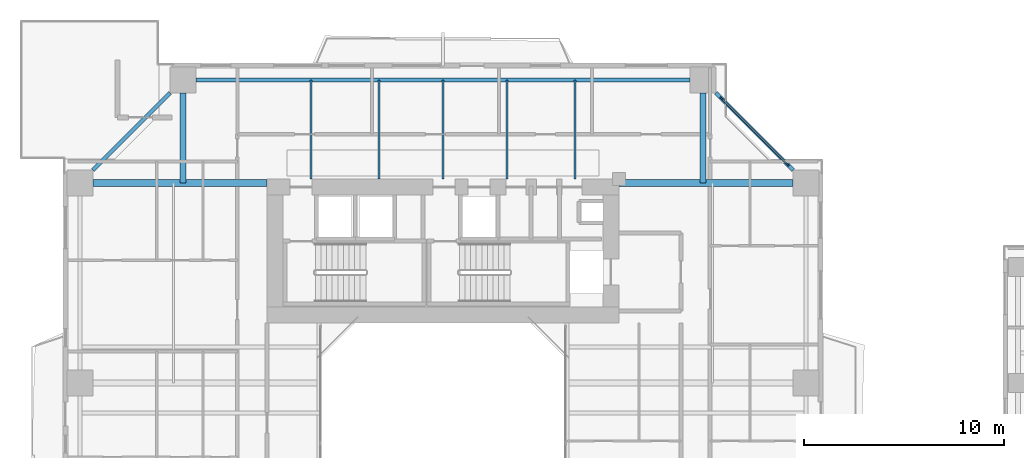
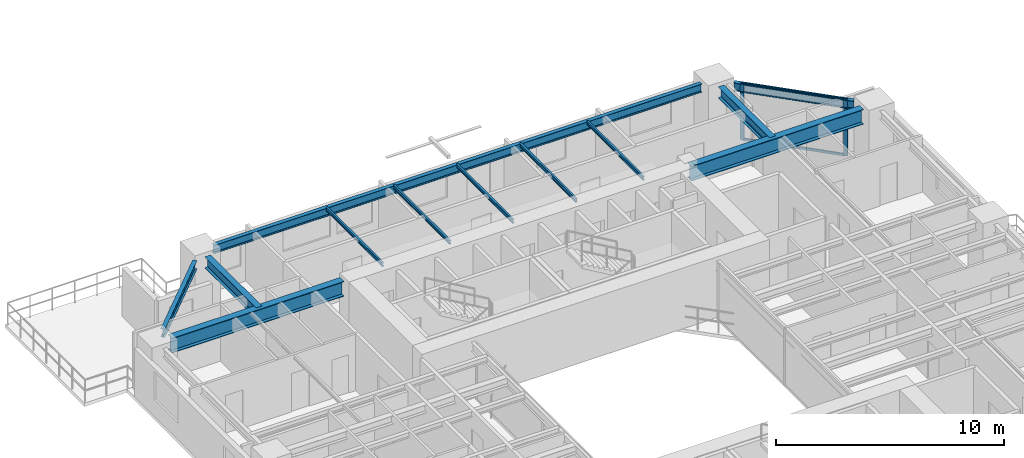
# One storey, part 9 of 24: 12 beams, 4 members, 1 element without a shape of its own.
"""IFC4 building model written with IfcOpenShell, lengths in metres."""

from ifc_helpers import new_model, si_unit, direction, frame, origin, origin_2d, place, context, subcontext, project, spatial, rectangle, i_section, extrude, source, transform, mapped, material, layer, layer_set, material_profile, profile_set, type_object, element, aggregate, save


model = new_model("IFC4")

# Units and contexts
model_context = context("Model", 3, precision=1e-05, world=origin(), true_north=direction((0.0, 1.0)))
body_context = subcontext(model_context, "Body", "Model", "MODEL_VIEW")
ifc_project = project(units=[si_unit("LENGTHUNIT", "METRE"), si_unit("AREAUNIT", "SQUARE_METRE"), si_unit("VOLUMEUNIT", "CUBIC_METRE"), si_unit("PLANEANGLEUNIT", "RADIAN"), si_unit("MASSUNIT", "GRAM", prefix="KILO"), si_unit("THERMODYNAMICTEMPERATUREUNIT", "KELVIN"), si_unit("POWERUNIT", "WATT")], contexts=[model_context])

# Site, building, storey
site_placement = place(None, origin())
site = spatial("IfcSite", under=ifc_project, at=site_placement, CompositionType="ELEMENT")
building_placement = place(site_placement, origin())
building = spatial("IfcBuilding", under=site, at=building_placement, Name="Qiaomeng Ring Towers", CompositionType="ELEMENT")
storey_placement = place(building_placement, frame((0.0, 0.0, 42.5)))
storey = spatial("IfcBuildingStorey", under=building, at=storey_placement, Name="L11", CompositionType="ELEMENT", Elevation=42.5)

# Beams
ifc_material_1 = material(Name="Steel Q355B", Category="steel")
ifc_material_profile_1 = material_profile(ifc_material_1, i_section(OverallWidth=0.199951171875, OverallDepth=0.449951171875, WebThickness=0.009033203125, FlangeThickness=0.013916015625, FilletRadius=0.01806640625, at=origin_2d()), Name="HN 450x200x9x14")
ifc_profile_set_1 = profile_set([ifc_material_profile_1], Name="Steel Q355B")
beam_type_1 = type_object("IfcBeamType", Name="STR-BM-HN450", PredefinedType="SPANDREL", material=ifc_profile_set_1)
shared_shape_1 = source(origin(), body_context, "Body", "SweptSolid", [
    extrude(i_section(OverallWidth=0.199951171875, OverallDepth=0.449951171875, WebThickness=0.009033203125, FlangeThickness=0.013916015625, FilletRadius=0.01806640625, at=origin_2d()), origin(), (0.0, 0.0, 1.0), 24.7021484375),
])
beam_placement = place(storey_placement, frame((31.35107421875, 41.14990234375, 2.804931640625), z_axis=(-1.0, 0.0, 0.0), x_axis=(0.0, -1.0, 0.0)))
element("IfcBeam", 1, at=beam_placement, inside=storey, type_object=beam_type_1, Name="L11 beam STR-SP-L11-T1-N2-N1", PredefinedType="SPANDREL", context=body_context, shape_type="MappedRepresentation", body=[
    mapped(shared_shape_1, transform((0.0, 0.0, 0.0), x_axis=(1.0, 0.0, 0.0), y_axis=(0.0, 1.0, 0.0), z_axis=(0.0, 0.0, 1.0), scale=1.0)),
])
shared_shape_2 = source(origin(), body_context, "Body", "SweptSolid", [
    extrude(i_section(OverallWidth=0.199951171875, OverallDepth=0.449951171875, WebThickness=0.009033203125, FlangeThickness=0.013916015625, FilletRadius=0.01806640625, at=origin_2d()), origin(), (0.0, 0.0, 1.0), 5.446533203125),
])
for number, where, z_axis, x_axis, name in (
    (2, (36.500732421875, 36.6494140625, 2.804931640625), (-0.707106781187, 0.707106781187, 0.0), (-0.707106781187, -0.707106781187, 0.0), "L11 beam STR-SP-L11-T1-E4-N2"),
    (3, (5.3505859375, 40.500732421875, 2.804931640625), (-0.707106781187, -0.707106781187, 0.0), (0.707106781187, -0.707106781187, 0.0), "L11 beam STR-SP-L11-T1-N1-W4"),
):
    element("IfcBeam", number, at=place(storey_placement, frame(where, z_axis=z_axis, x_axis=x_axis)), inside=storey, type_object=beam_type_1, Name=name, PredefinedType="SPANDREL", context=body_context, shape_type="MappedRepresentation", body=[
        mapped(shared_shape_2, transform((0.0, 0.0, 0.0), x_axis=(1.0, 0.0, 0.0), y_axis=(0.0, 1.0, 0.0), z_axis=(0.0, 0.0, 1.0), scale=1.0)),
    ])
ifc_material_2 = material(Name="Steel Q390GJC", Category="steel")
ifc_material_profile_2 = material_profile(ifc_material_2, i_section(OverallWidth=0.35009765625, OverallDepth=0.800048828125, WebThickness=0.01611328125, FlangeThickness=0.028076171875, at=origin_2d()), Name="WH 800x350x16x28")
ifc_profile_set_2 = profile_set([ifc_material_profile_2], Name="Steel Q390GJC")
beam_type_2 = type_object("IfcBeamType", Name="STR-BM-WH800", PredefinedType="BEAM", material=ifc_profile_set_2)
shared_shape_3 = source(origin(), body_context, "Body", "SweptSolid", [
    extrude(i_section(OverallWidth=0.35009765625, OverallDepth=0.800048828125, WebThickness=0.01611328125, FlangeThickness=0.028076171875, at=origin_2d()), origin(), (0.0, 0.0, 1.0), 8.700927734375),
])
for number, where, z_axis, x_axis, name in (
    (4, (1.4990234375, 36.0, 2.6298828125), (1.0, 0.0, 0.0), (0.0, 1.0, 0.0), "L11 beam STR-BM-L11-T1-RAD-W4"),
    (5, (27.800048828125, 36.0, 2.6298828125), (1.0, 0.0, 0.0), (0.0, 1.0, 0.0), "L11 beam STR-BM-L11-T1-RAD-E4"),
):
    element("IfcBeam", number, at=place(storey_placement, frame(where, z_axis=z_axis, x_axis=x_axis)), inside=storey, type_object=beam_type_2, Name=name, PredefinedType="BEAM", context=body_context, shape_type="MappedRepresentation", body=[
        mapped(shared_shape_3, transform((0.0, 0.0, 0.0), x_axis=(1.0, 0.0, 0.0), y_axis=(0.0, 1.0, 0.0), z_axis=(0.0, 0.0, 1.0), scale=1.0)),
    ])
ifc_material_profile_3 = material_profile(ifc_material_1, i_section(OverallWidth=0.300048828125, OverallDepth=0.587890625, WebThickness=0.011962890625, FlangeThickness=0.02001953125, FilletRadius=0.028076171875, at=origin_2d()), Name="HM 588x300x12x20")
ifc_profile_set_3 = profile_set([ifc_material_profile_3], Name="Steel Q355B")
beam_type_3 = type_object("IfcBeamType", Name="STR-BM-HM588", PredefinedType="BEAM", material=ifc_profile_set_3)
shared_shape_4 = source(origin(), body_context, "Body", "SweptSolid", [
    extrude(i_section(OverallWidth=0.300048828125, OverallDepth=0.587890625, WebThickness=0.011962890625, FlangeThickness=0.02001953125, FilletRadius=0.028076171875, at=origin_2d()), origin(), (0.0, 0.0, 1.0), 4.5009765625),
])
for number, where, z_axis, x_axis, name in (
    (6, (6.0, 40.5009765625, 2.736083984375), (0.0, -1.0, 0.0), (1.0, 0.0, 0.0), "L11 beam STR-BM-L11-T1-RAD-N1"),
    (7, (32.0, 40.5009765625, 2.736083984375), (0.0, -1.0, 0.0), (1.0, 0.0, 0.0), "L11 beam STR-BM-L11-T1-RAD-N2"),
):
    element("IfcBeam", number, at=place(storey_placement, frame(where, z_axis=z_axis, x_axis=x_axis)), inside=storey, type_object=beam_type_3, Name=name, PredefinedType="BEAM", context=body_context, shape_type="MappedRepresentation", body=[
        mapped(shared_shape_4, transform((0.0, 0.0, 0.0), x_axis=(1.0, 0.0, 0.0), y_axis=(0.0, 1.0, 0.0), z_axis=(0.0, 0.0, 1.0), scale=1.0)),
    ])
ifc_material_profile_4 = material_profile(ifc_material_1, i_section(OverallWidth=0.10009765625, OverallDepth=0.199951171875, WebThickness=0.005615234375, FlangeThickness=0.008056640625, FilletRadius=0.010986328125, at=origin_2d()), Name="HN 200x100x5.5x8")
ifc_profile_set_4 = profile_set([ifc_material_profile_4], Name="Steel Q355B")
beam_type_4 = type_object("IfcBeamType", Name="STR-BM-HN200", PredefinedType="JOIST", material=ifc_profile_set_4)
shared_shape_5 = source(origin(), body_context, "Body", "SweptSolid", [
    extrude(i_section(OverallWidth=0.10009765625, OverallDepth=0.199951171875, WebThickness=0.005615234375, FlangeThickness=0.008056640625, FilletRadius=0.010986328125, at=origin_2d()), origin(), (0.0, 0.0, 1.0), 4.949951171875),
])
for number, where, z_axis, x_axis, name in (
    (8, (12.39990234375, 36.199951171875, 2.929931640625), (0.0, 1.0, 0.0), (-1.0, 0.0, 0.0), "L11 beam STR-JST-L11-T1N-1"),
    (9, (15.800048828125, 36.199951171875, 2.929931640625), (0.0, 1.0, 0.0), (-1.0, 0.0, 0.0), "L11 beam STR-JST-L11-T1N-2"),
    (10, (19.0, 36.199951171875, 2.929931640625), (0.0, 1.0, 0.0), (-1.0, 0.0, 0.0), "L11 beam STR-JST-L11-T1N-3"),
    (11, (22.199951171875, 36.199951171875, 2.929931640625), (0.0, 1.0, 0.0), (-1.0, 0.0, 0.0), "L11 beam STR-JST-L11-T1N-4"),
    (12, (25.60009765625, 36.199951171875, 2.929931640625), (0.0, 1.0, 0.0), (-1.0, 0.0, 0.0), "L11 beam STR-JST-L11-T1N-5"),
):
    element("IfcBeam", number, at=place(storey_placement, frame(where, z_axis=z_axis, x_axis=x_axis)), inside=storey, type_object=beam_type_4, Name=name, PredefinedType="JOIST", context=body_context, shape_type="MappedRepresentation", body=[
        mapped(shared_shape_5, transform((0.0, 0.0, 0.0), x_axis=(1.0, 0.0, 0.0), y_axis=(0.0, 1.0, 0.0), z_axis=(0.0, 0.0, 1.0), scale=1.0)),
    ])

# Curtain wall, members
ifc_material_3 = material(Name="Fluorocarbon dark-grey aluminium", Category="aluminium")
ifc_layer = layer(ifc_material_3, 0.159912109375, Name="Fluorocarbon dark-grey aluminium")
ifc_layer_set = layer_set([ifc_layer], Name="Fluorocarbon dark-grey aluminium")
curtain_wall_type = type_object("IfcCurtainWallType", Name="ARC-CW-2", PredefinedType="NOTDEFINED", material=ifc_layer_set)
curtain_wall_placement = place(storey_placement, origin())
curtain_wall = element("IfcCurtainWall", 13, at=curtain_wall_placement, inside=storey, type_object=curtain_wall_type, Name="L11 Curtain Wall CW2", PredefinedType="NOTDEFINED")
ifc_material_profile_5 = material_profile(ifc_material_3, rectangle(XDim=0.06494140625, YDim=0.1298828125, at=origin_2d()), Name="ALU TRAN 65x130")
ifc_profile_set_5 = profile_set([ifc_material_profile_5], Name="Fluorocarbon dark-grey aluminium")
member_type_1 = type_object("IfcMemberType", Name="ARC-CWT-120", PredefinedType="USERDEFINED", material=ifc_profile_set_5)
shared_shape_6 = source(origin(), body_context, "Body", "SweptSolid", [
    extrude(rectangle(XDim=0.06494140625, YDim=0.1298828125, at=origin_2d()), origin(), (0.0, 0.0, 1.0), 4.6259765625),
])
member_1_placement = place(storey_placement, frame((36.21044921875, 36.939453125, 0.032470703125), z_axis=(-0.707106781187, 0.707106781187, 0.0), x_axis=(-0.707106781187, -0.707106781187, 0.0)))
member_1 = element("IfcMember", 14, at=member_1_placement, type_object=member_type_1, Name="CW2 transom 1.1", ObjectType="TRANSOM", PredefinedType="USERDEFINED", context=body_context, shape_type="MappedRepresentation", body=[
    mapped(shared_shape_6, transform((0.0, 0.0, 0.0), x_axis=(1.0, 0.0, 0.0), y_axis=(0.0, 1.0, 0.0), z_axis=(0.0, 0.0, 1.0), scale=1.0)),
])
member_2_placement = place(storey_placement, frame((36.21044921875, 36.939453125, 2.99755859375), z_axis=(-0.707106781187, 0.707106781187, 0.0), x_axis=(-0.707106781187, -0.707106781187, 0.0)))
member_2 = element("IfcMember", 15, at=member_2_placement, type_object=member_type_1, Name="CW2 transom 1.2", ObjectType="TRANSOM", PredefinedType="USERDEFINED", context=body_context, shape_type="MappedRepresentation", body=[
    mapped(shared_shape_6, transform((0.0, 0.0, 0.0), x_axis=(1.0, 0.0, 0.0), y_axis=(0.0, 1.0, 0.0), z_axis=(0.0, 0.0, 1.0), scale=1.0)),
])
ifc_material_profile_6 = material_profile(ifc_material_3, rectangle(XDim=0.070068359375, YDim=0.179931640625, at=origin_2d()), Name="ALU MULL 70x180")
ifc_profile_set_6 = profile_set([ifc_material_profile_6], Name="Fluorocarbon dark-grey aluminium")
member_type_2 = type_object("IfcMemberType", Name="ARC-CWM-160", PredefinedType="MULLION", material=ifc_profile_set_6)
shared_shape_7 = source(origin(), body_context, "Body", "SweptSolid", [
    extrude(rectangle(XDim=0.070068359375, YDim=0.179931640625, at=origin_2d()), origin(), (0.0, 0.0, 1.0), 3.030029296875),
])
member_3_placement = place(storey_placement, frame((36.2353515625, 36.914794921875, 0.0), z_axis=(0.0, 0.0, 1.0), x_axis=(-0.707106781187, -0.707106781187, 0.0)))
member_3 = element("IfcMember", 16, at=member_3_placement, type_object=member_type_2, Name="CW2 mullion 1", PredefinedType="MULLION", context=body_context, shape_type="MappedRepresentation", body=[
    mapped(shared_shape_7, transform((0.0, 0.0, 0.0), x_axis=(1.0, 0.0, 0.0), y_axis=(0.0, 1.0, 0.0), z_axis=(0.0, 0.0, 1.0), scale=1.0)),
])
member_4_placement = place(storey_placement, frame((32.914794921875, 40.2353515625, 0.0), z_axis=(0.0, 0.0, 1.0), x_axis=(-0.707106781187, -0.707106781187, 0.0)))
member_4 = element("IfcMember", 17, at=member_4_placement, type_object=member_type_2, Name="CW2 mullion 2", PredefinedType="MULLION", context=body_context, shape_type="MappedRepresentation", body=[
    mapped(shared_shape_7, transform((0.0, 0.0, 0.0), x_axis=(1.0, 0.0, 0.0), y_axis=(0.0, 1.0, 0.0), z_axis=(0.0, 0.0, 1.0), scale=1.0)),
])
aggregate(curtain_wall, [member_3, member_4, member_1, member_2])

save(model, "model.ifc")
